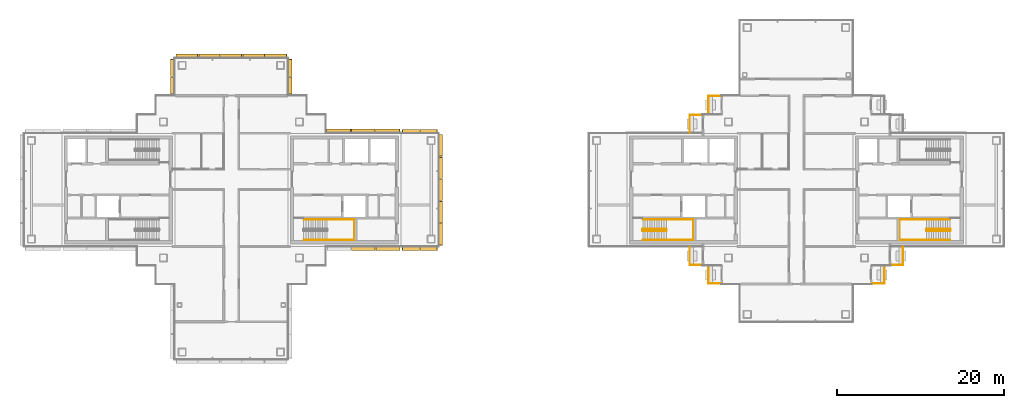
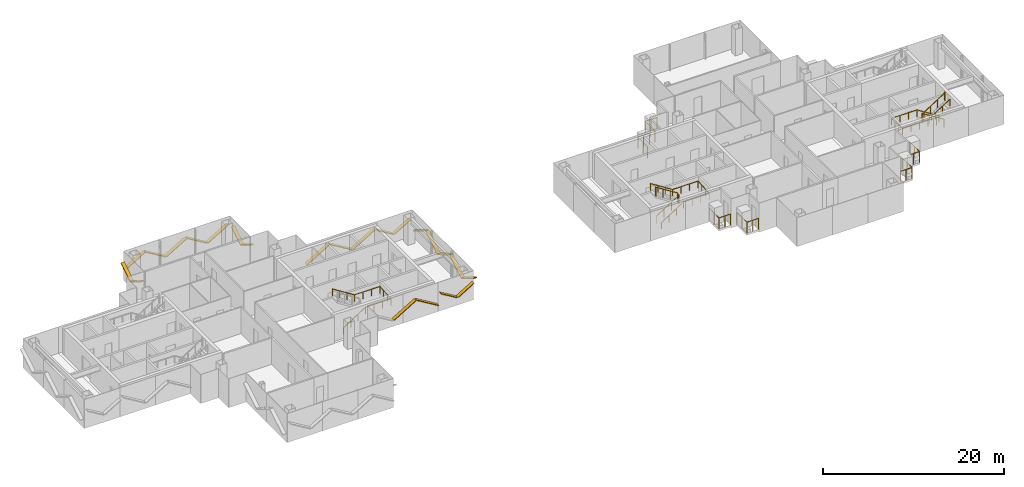
# One storey, part 15 of 17: 23 shading devices, 11 railings.
"""IFC4 building model written with IfcOpenShell, lengths in metres."""

import ifcopenshell
import ifcopenshell.guid

model = None  # the IFC model being written
_history = None  # IfcOwnerHistory: only IFC2X3 demands one
_inside = {}  # id of a spatial element -> (the spatial element, [elements in it])
_under = {}  # id of a project, library or spatial element -> (it, [spatial elements below it])
_declared = {}  # id of a project -> (the project, [libraries it declares])
_typed = {}  # id of a type object -> (the type object, [elements of that type])
_made_of = {}  # id of a material, layer set ... -> (it, [elements and type objects made of it])


def new_model(schema):
    """Start an empty IFC model of exactly this schema.

    Asked for "IFC4X3", IfcOpenShell would pick the latest addendum, in which some entities
    have other attributes; the version numbers below select the first issue.
    IFC2X3 requires an IfcOwnerHistory on every rooted entity: one is made here for all.
    """
    global model, _history
    if schema == "IFC4X3":
        model = ifcopenshell.file(schema_version=(4, 3, 0, 0))
    else:
        model = ifcopenshell.file(schema=schema)
    _inside.clear()
    _under.clear()
    _declared.clear()
    _typed.clear()
    _made_of.clear()
    _history = None
    if model.schema == "IFC2X3":
        org = make("IfcOrganization", Name="unknown")
        user = make(
            "IfcPersonAndOrganization",
            ThePerson=make("IfcPerson", FamilyName="unknown"),
            TheOrganization=org,
        )
        app = make(
            "IfcApplication",
            ApplicationDeveloper=org,
            Version="unknown",
            ApplicationFullName="unknown",
            ApplicationIdentifier="unknown",
        )
        _history = make(
            "IfcOwnerHistory",
            OwningUser=user,
            OwningApplication=app,
            ChangeAction="ADDED",
            CreationDate=0,
        )
    return model


def make(cls, **values):
    """One entity of the class cls with the attributes given. An attribute that is None is left unset."""
    return model.create_entity(
        cls, **{name: value for name, value in values.items() if value is not None}
    )


def rooted(cls, **values):
    """An entity with a GlobalId (a new one), such as an element, a storey or a relation."""
    return make(cls, GlobalId=ifcopenshell.guid.new(), OwnerHistory=_history, **values)


def si_unit(unit_type, name, prefix=None):
    """IfcSIUnit, for example si_unit("LENGTHUNIT", "METRE", prefix="MILLI")."""
    return make("IfcSIUnit", UnitType=unit_type, Prefix=prefix, Name=name)


def assignment(units):
    """IfcUnitAssignment: the units of a project."""
    return None if units is None else make("IfcUnitAssignment", Units=units)


def point(xyz):
    """IfcCartesianPoint."""
    return None if xyz is None else make("IfcCartesianPoint", Coordinates=xyz)


def direction(xyz):
    """IfcDirection."""
    return None if xyz is None else make("IfcDirection", DirectionRatios=xyz)


def frame(location, z_axis=None, x_axis=None):
    """IfcAxis2Placement3D, a coordinate frame: its origin and axes. An axis left out is left unset."""
    return make(
        "IfcAxis2Placement3D",
        Location=point(location),
        Axis=direction(z_axis),
        RefDirection=direction(x_axis),
    )


def frame_2d(location, x_axis=None):
    """IfcAxis2Placement2D, a coordinate frame in the plane: its origin and x axis."""
    return make(
        "IfcAxis2Placement2D", Location=point(location), RefDirection=direction(x_axis)
    )


def origin():
    """The frame at (0, 0, 0) with its axes left unset."""
    return frame((0.0, 0.0, 0.0))


def origin_2d():
    """The frame at (0, 0) in the plane with its x axis left unset."""
    return frame_2d((0.0, 0.0))


def place(relative_to, where):
    """IfcLocalPlacement: puts the frame where relative to a parent placement (None: the world)."""
    return make(
        "IfcLocalPlacement", PlacementRelTo=relative_to, RelativePlacement=where
    )


def context(
    kind, dimensions, precision=None, world=None, true_north=None, identifier=None
):
    """IfcGeometricRepresentationContext, for example the 3D "Model" context."""
    return make(
        "IfcGeometricRepresentationContext",
        ContextIdentifier=identifier,
        ContextType=kind,
        CoordinateSpaceDimension=dimensions,
        Precision=precision,
        WorldCoordinateSystem=world,
        TrueNorth=true_north,
    )


def subcontext(parent, identifier, kind, view, scale=None):
    """IfcGeometricRepresentationSubContext, for example "Body" below "Model"."""
    return make(
        "IfcGeometricRepresentationSubContext",
        ContextIdentifier=identifier,
        ContextType=kind,
        ParentContext=parent,
        TargetScale=scale,
        TargetView=view,
    )


def project(units=None, contexts=None):
    """IfcProject with its units and contexts."""
    return rooted(
        "IfcProject",
        Name="project",
        RepresentationContexts=contexts,
        UnitsInContext=assignment(units),
    )


def spatial(cls, under=None, at=None, **own):
    """A site, building, storey or space (cls), placed at a placement, below another one or the project."""
    s = rooted(cls, ObjectPlacement=at, **own)
    if under is not None:
        _under.setdefault(under.id(), (under, []))[1].append(s)
    return s


def profile(cls, at=None, kind="AREA", **sizes):
    """A parametric profile (cls). Its sizes go by their IFC names, for example OverallWidth=200.0."""
    return make(cls, ProfileType=kind, Position=at, **sizes)


def rectangle(**sizes):
    """IfcRectangleProfileDef."""
    return profile("IfcRectangleProfileDef", **sizes)


def circle(**sizes):
    """IfcCircleProfileDef."""
    return profile("IfcCircleProfileDef", **sizes)


def extrude(swept, where, along, depth):
    """IfcExtrudedAreaSolid: the profile swept, set in the frame where, extruded along a direction by depth."""
    return make(
        "IfcExtrudedAreaSolid",
        SweptArea=swept,
        Position=where,
        ExtrudedDirection=direction(along),
        Depth=depth,
    )


def shape(context_of_items, identifier, shape_type, items):
    """IfcShapeRepresentation: the items that make up one representation, for example the "Body"."""
    return make(
        "IfcShapeRepresentation",
        ContextOfItems=context_of_items,
        RepresentationIdentifier=identifier,
        RepresentationType=shape_type,
        Items=items,
    )


def material(Name=None, Category=None):
    """IfcMaterial."""
    return make("IfcMaterial", Name=Name, Category=Category)


def material_profile(
    of_material, cross_section, Name=None, Category=None, Priority=None
):
    """IfcMaterialProfile: a cross section and its material."""
    return make(
        "IfcMaterialProfile",
        Name=Name,
        Material=of_material,
        Profile=cross_section,
        Priority=Priority,
        Category=Category,
    )


def profile_set(profiles, Name=None, composite=None):
    """IfcMaterialProfileSet."""
    return make(
        "IfcMaterialProfileSet",
        Name=Name,
        MaterialProfiles=profiles,
        CompositeProfile=composite,
    )


def made_of(thing, what):
    """Note that an element or type object is made of a material, layer set ...; save() writes the relation."""
    if what is not None:
        _made_of.setdefault(what.id(), (what, []))[1].append(thing)
    return thing


def type_object(cls, material=None, **own):
    """A type object (cls), such as IfcWallType, which elements share."""
    return made_of(rooted(cls, **own), material)


def element(
    cls,
    number,
    at=None,
    inside=None,
    cuts=None,
    type_object=None,
    material=None,
    context=None,
    identifier="Body",
    shape_type=None,
    held_by="IfcProductDefinitionShape",
    body=None,
    shapes=None,
    **own,
):
    """One element of the class cls, such as IfcWall. Its Tag is "e" and its number.

    at: its placement. inside: the storey or other place that contains it. cuts: it is an
    opening in that element (IfcRelVoidsElement). A single representation is given by context,
    identifier, shape_type and body (its items); several are given by shapes. held_by: the class
    of the entity that holds the representations. save() writes the other relations.
    """
    e = rooted(cls, Tag="e%d" % number, ObjectPlacement=at, **own)
    if body is not None:
        shapes = [shape(context, identifier, shape_type, body)]
    if shapes is not None:
        e.Representation = make(held_by, Representations=shapes)
    if inside is not None:
        _inside.setdefault(inside.id(), (inside, []))[1].append(e)
    if cuts is not None:
        rooted(
            "IfcRelVoidsElement", RelatingBuildingElement=cuts, RelatedOpeningElement=e
        )
    if type_object is not None:
        _typed.setdefault(type_object.id(), (type_object, []))[1].append(e)
    return made_of(e, material)


def aggregate(whole, parts):
    """IfcRelAggregates: a whole, such as a stair, and the parts it consists of."""
    return rooted("IfcRelAggregates", RelatingObject=whole, RelatedObjects=parts)


def save(model, path):
    """Write the relations noted so far, then the file.

    IfcRelAggregates (storeys below a building ...), IfcRelContainedInSpatialStructure (elements
    in a storey), IfcRelDefinesByType, IfcRelAssociatesMaterial and IfcRelDeclares: one each for
    every whole, place, type object, material and project.
    """
    for whole, parts in _under.values():
        aggregate(whole, parts)
    for where, things in _inside.values():
        rooted(
            "IfcRelContainedInSpatialStructure",
            RelatedElements=things,
            RelatingStructure=where,
        )
    for kind, things in _typed.values():
        rooted("IfcRelDefinesByType", RelatedObjects=things, RelatingType=kind)
    for what, things in _made_of.values():
        rooted("IfcRelAssociatesMaterial", RelatedObjects=things, RelatingMaterial=what)
    for by, libraries in _declared.values():
        rooted("IfcRelDeclares", RelatingContext=by, RelatedDefinitions=libraries)
    model.write(path)


model = new_model("IFC4")

# Units and contexts
model_context = context("Model", 3, precision=1e-05, world=origin(), true_north=direction((0.0, 1.0)))
body_context = subcontext(model_context, "Body", "Model", "MODEL_VIEW")
ifc_project = project(units=[si_unit("LENGTHUNIT", "METRE"), si_unit("AREAUNIT", "SQUARE_METRE"), si_unit("VOLUMEUNIT", "CUBIC_METRE"), si_unit("PLANEANGLEUNIT", "RADIAN"), si_unit("MASSUNIT", "GRAM", prefix="KILO")], contexts=[model_context])

# Site, building, storey
site_placement = place(None, origin())
site = spatial("IfcSite", under=ifc_project, at=site_placement, CompositionType="ELEMENT")
building_placement = place(site_placement, origin())
building = spatial("IfcBuilding", under=site, at=building_placement, Name="Shamsa Quay Exchange Towers", CompositionType="ELEMENT")
storey_placement = place(building_placement, frame((0.0, 0.0, 238.199951171875)))
storey = spatial("IfcBuildingStorey", under=building, at=storey_placement, Name="L57", CompositionType="ELEMENT", Elevation=238.199951171875)

# Railings
ifc_material_1 = material(Name="Steel S355, black powder-coated", Category="steel")
railing_type_1 = type_object("IfcRailingType", Name="BALCONY GUARD 1500", PredefinedType="GUARDRAIL", material=ifc_material_1)
for number, where, name in (
    (1, (24.72900390625, 11.199951171875, 0.0), "Balcony guard T2-PKEN L57"),
    (2, (22.47900390625, 8.949951171875, 0.0), "Balcony guard T2-PKEN L57"),
):
    element("IfcRailing", number, at=place(storey_placement, frame(where)), inside=storey, type_object=railing_type_1, Name=name, PredefinedType="GUARDRAIL", context=body_context, shape_type="SweptSolid", body=[
        extrude(circle(Radius=0.02392578125, at=origin_2d()), frame((0.0, 0.0, 1.47607421875), z_axis=(-1.0, 0.0, 0.0), x_axis=(0.0, -1.0, 0.0)), (0.0, 0.0, 1.0), 1.47900390625),
        extrude(circle(Radius=0.02392578125, at=origin_2d()), frame((-1.47900390625, 0.0, 1.47607421875), z_axis=(0.0, -1.0, 0.0), x_axis=(1.0, 0.0, 0.0)), (0.0, 0.0, 1.0), 2.161865234375),
        extrude(circle(Radius=0.02099609375, at=origin_2d()), origin(), (0.0, 0.0, 1.0), 1.451904296875),
        extrude(circle(Radius=0.02099609375, at=origin_2d()), frame((-0.739501953125, 0.0, 0.0)), (0.0, 0.0, 1.0), 1.451904296875),
        extrude(circle(Radius=0.02099609375, at=origin_2d()), frame((-1.47900390625, 0.0, 0.0)), (0.0, 0.0, 1.0), 1.451904296875),
        extrude(circle(Radius=0.02099609375, at=origin_2d()), frame((-1.47900390625, -1.0810546875, 0.0)), (0.0, 0.0, 1.0), 1.451904296875),
        extrude(circle(Radius=0.02099609375, at=origin_2d()), frame((-1.47900390625, -2.161865234375, 0.0)), (0.0, 0.0, 1.0), 1.451904296875),
    ])
for number, where, name in (
    (3, (21.0, -6.7880859375, 0.0), "Balcony guard T2-PKWN L57"),
    (4, (23.25, -9.0380859375, 0.0), "Balcony guard T2-PKWN L57"),
):
    element("IfcRailing", number, at=place(storey_placement, frame(where)), inside=storey, type_object=railing_type_1, Name=name, PredefinedType="GUARDRAIL", context=body_context, shape_type="SweptSolid", body=[
        extrude(circle(Radius=0.02392578125, at=origin_2d()), frame((0.0, 0.0, 1.47607421875), z_axis=(0.0, -1.0, 0.0), x_axis=(1.0, 0.0, 0.0)), (0.0, 0.0, 1.0), 2.161865234375),
        extrude(circle(Radius=0.02392578125, at=origin_2d()), frame((0.0, -2.161865234375, 1.47607421875), z_axis=(1.0, 0.0, 0.0), x_axis=(0.0, 1.0, 0.0)), (0.0, 0.0, 1.0), 1.47900390625),
        extrude(circle(Radius=0.02099609375, at=origin_2d()), origin(), (0.0, 0.0, 1.0), 1.451904296875),
        extrude(circle(Radius=0.02099609375, at=origin_2d()), frame((0.0, -1.0810546875, 0.0)), (0.0, 0.0, 1.0), 1.451904296875),
        extrude(circle(Radius=0.02099609375, at=origin_2d()), frame((0.0, -2.161865234375, 0.0)), (0.0, 0.0, 1.0), 1.451904296875),
        extrude(circle(Radius=0.02099609375, at=origin_2d()), frame((0.739501953125, -2.161865234375, 0.0)), (0.0, 0.0, 1.0), 1.451904296875),
        extrude(circle(Radius=0.02099609375, at=origin_2d()), frame((1.47900390625, -2.161865234375, 0.0)), (0.0, 0.0, 1.0), 1.451904296875),
    ])
for number, where, name in (
    (5, (42.77099609375, -11.199951171875, 0.0), "Balcony guard T2-PKWS L57"),
    (6, (45.02099609375, -8.949951171875, 0.0), "Balcony guard T2-PKWS L57"),
):
    element("IfcRailing", number, at=place(storey_placement, frame(where)), inside=storey, type_object=railing_type_1, Name=name, PredefinedType="GUARDRAIL", context=body_context, shape_type="SweptSolid", body=[
        extrude(circle(Radius=0.02392578125, at=origin_2d()), frame((0.0, 0.0, 1.47607421875), z_axis=(1.0, 0.0, 0.0), x_axis=(0.0, 1.0, 0.0)), (0.0, 0.0, 1.0), 1.47900390625),
        extrude(circle(Radius=0.02392578125, at=origin_2d()), frame((1.47900390625, 0.0, 1.47607421875), z_axis=(0.0, 1.0, 0.0), x_axis=(-1.0, 0.0, 0.0)), (0.0, 0.0, 1.0), 2.161865234375),
        extrude(circle(Radius=0.02099609375, at=origin_2d()), origin(), (0.0, 0.0, 1.0), 1.451904296875),
        extrude(circle(Radius=0.02099609375, at=origin_2d()), frame((0.739501953125, 0.0, 0.0)), (0.0, 0.0, 1.0), 1.451904296875),
        extrude(circle(Radius=0.02099609375, at=origin_2d()), frame((1.47900390625, 0.0, 0.0)), (0.0, 0.0, 1.0), 1.451904296875),
        extrude(circle(Radius=0.02099609375, at=origin_2d()), frame((1.47900390625, 1.0810546875, 0.0)), (0.0, 0.0, 1.0), 1.451904296875),
        extrude(circle(Radius=0.02099609375, at=origin_2d()), frame((1.47900390625, 2.161865234375, 0.0)), (0.0, 0.0, 1.0), 1.451904296875),
    ])

# Shading devices
ifc_material_2 = material(Name="Aluminium EN AW-6063 T6, black anodised", Category="aluminium")
ifc_material_profile = material_profile(ifc_material_2, rectangle(XDim=0.449951171875, YDim=0.10009765625, at=origin_2d()), Name="FIN450x100")
ifc_profile_set = profile_set([ifc_material_profile], Name="Aluminium EN AW-6063 T6, black anodised")
shading_device_type = type_object("IfcShadingDeviceType", Name="FIN 450x100 BLACK ALUMINIUM", PredefinedType="USERDEFINED", material=ifc_profile_set)
shading_device_1_placement = place(storey_placement, frame((-19.374755859375, -7.01904296875, 0.7626953125), z_axis=(0.857168152113, 0.0, 0.515036657922), x_axis=(0.0, 1.0, 0.0)))
element("IfcShadingDevice", 7, at=shading_device_1_placement, inside=storey, type_object=shading_device_type, Name="FIN T1 chevron rib", ObjectType="FIN", PredefinedType="USERDEFINED", context=body_context, shape_type="SweptSolid", body=[
    extrude(rectangle(XDim=0.449951171875, YDim=0.10009765625, at=origin_2d()), origin(), (0.0, 0.0, 1.0), 3.251708984375),
])
shading_device_2_placement = place(storey_placement, frame((-16.4873046875, -7.01904296875, 2.452392578125), z_axis=(0.857173881605, 0.0, -0.51502712229), x_axis=(0.0, 1.0, 0.0)))
element("IfcShadingDevice", 8, at=shading_device_2_placement, inside=storey, type_object=shading_device_type, Name="FIN T1 chevron rib", ObjectType="FIN", PredefinedType="USERDEFINED", context=body_context, shape_type="SweptSolid", body=[
    extrude(rectangle(XDim=0.449951171875, YDim=0.10009765625, at=origin_2d()), origin(), (0.0, 0.0, 1.0), 3.310302734375),
])
for number, where, z_axis, x_axis, name in (
    (9, (-13.35009765625, -7.014892578125, 2.2158203125), (0.857186526385, 0.0, -0.515006076648), (0.0, 1.0, 0.0), "FIN T1 chevron rib"),
    (10, (-11.199951171875, -7.014892578125, 0.984130859375), (0.857186526385, 0.0, 0.515006076648), (0.0, 1.0, 0.0), "FIN T1 chevron rib"),
):
    element("IfcShadingDevice", number, at=place(storey_placement, frame(where, z_axis=z_axis, x_axis=x_axis)), inside=storey, type_object=shading_device_type, Name=name, ObjectType="FIN", PredefinedType="USERDEFINED", context=body_context, shape_type="SweptSolid", body=[
        extrude(rectangle(XDim=0.449951171875, YDim=0.10009765625, at=origin_2d()), origin(), (0.0, 0.0, 1.0), 2.3916015625),
    ])
shading_device_3_placement = place(storey_placement, frame((-8.735107421875, -6.60009765625, 2.378173828125), z_axis=(0.0, 0.857186216295, -0.515006592767), x_axis=(-1.0, 0.0, 0.0)))
element("IfcShadingDevice", 11, at=shading_device_3_placement, inside=storey, type_object=shading_device_type, Name="FIN T1 chevron rib", ObjectType="FIN", PredefinedType="USERDEFINED", context=body_context, shape_type="SweptSolid", body=[
    extrude(rectangle(XDim=0.449951171875, YDim=0.10009765625, at=origin_2d()), origin(), (0.0, 0.0, 1.0), 3.021728515625),
])
for number, where, z_axis, x_axis, name in (
    (12, (-8.735107421875, -3.909912109375, 0.8369140625), (0.0, 0.857158316574, 0.515053026714), (-1.0, 0.0, 0.0), "FIN T1 chevron rib"),
    (13, (-8.735107421875, -1.27001953125, 2.363037109375), (0.0, 0.857180172053, -0.515016652778), (-1.0, 0.0, 0.0), "FIN T1 chevron rib"),
    (14, (-8.735107421875, 1.3701171875, 0.8369140625), (0.0, 0.857158316574, 0.515053026714), (-1.0, 0.0, 0.0), "FIN T1 chevron rib"),
):
    element("IfcShadingDevice", number, at=place(storey_placement, frame(where, z_axis=z_axis, x_axis=x_axis)), inside=storey, type_object=shading_device_type, Name=name, ObjectType="FIN", PredefinedType="USERDEFINED", context=body_context, shape_type="SweptSolid", body=[
        extrude(rectangle(XDim=0.449951171875, YDim=0.10009765625, at=origin_2d()), origin(), (0.0, 0.0, 1.0), 2.963134765625),
    ])
shading_device_4_placement = place(storey_placement, frame((-8.735107421875, 4.010009765625, 2.378173828125), z_axis=(0.0, 0.857186216295, -0.515006592767), x_axis=(-1.0, 0.0, 0.0)))
element("IfcShadingDevice", 15, at=shading_device_4_placement, inside=storey, type_object=shading_device_type, Name="FIN T1 chevron rib", ObjectType="FIN", PredefinedType="USERDEFINED", context=body_context, shape_type="SweptSolid", body=[
    extrude(rectangle(XDim=0.449951171875, YDim=0.10009765625, at=origin_2d()), origin(), (0.0, 0.0, 1.0), 3.021728515625),
])
for number, where, z_axis, x_axis, name in (
    (16, (-9.14990234375, 7.014892578125, 2.2158203125), (-0.857186526385, 0.0, -0.515006076648), (0.0, -1.0, 0.0), "FIN T1 chevron rib"),
    (17, (-11.300048828125, 7.014892578125, 0.984130859375), (-0.857186526385, 0.0, 0.515006076648), (0.0, -1.0, 0.0), "FIN T1 chevron rib"),
):
    element("IfcShadingDevice", number, at=place(storey_placement, frame(where, z_axis=z_axis, x_axis=x_axis)), inside=storey, type_object=shading_device_type, Name=name, ObjectType="FIN", PredefinedType="USERDEFINED", context=body_context, shape_type="SweptSolid", body=[
        extrude(rectangle(XDim=0.449951171875, YDim=0.10009765625, at=origin_2d()), origin(), (0.0, 0.0, 1.0), 2.3916015625),
    ])
shading_device_5_placement = place(storey_placement, frame((-13.64990234375, 7.01904296875, 2.456298828125), z_axis=(-0.857181785947, 0.0, -0.515013966646), x_axis=(0.0, -1.0, 0.0)))
element("IfcShadingDevice", 18, at=shading_device_5_placement, inside=storey, type_object=shading_device_type, Name="FIN T1 chevron rib", ObjectType="FIN", PredefinedType="USERDEFINED", context=body_context, shape_type="SweptSolid", body=[
    extrude(rectangle(XDim=0.449951171875, YDim=0.10009765625, at=origin_2d()), origin(), (0.0, 0.0, 1.0), 3.324951171875),
])
shading_device_6_placement = place(storey_placement, frame((-16.60009765625, 7.01904296875, 0.7587890625), z_axis=(-0.857156397537, 0.0, 0.515056220389), x_axis=(0.0, -1.0, 0.0)))
element("IfcShadingDevice", 19, at=shading_device_6_placement, inside=storey, type_object=shading_device_type, Name="FIN T1 chevron rib", ObjectType="FIN", PredefinedType="USERDEFINED", context=body_context, shape_type="SweptSolid", body=[
    extrude(rectangle(XDim=0.449951171875, YDim=0.10009765625, at=origin_2d()), origin(), (0.0, 0.0, 1.0), 3.266357421875),
])
shading_device_7_placement = place(storey_placement, frame((-19.5, 7.01904296875, 2.456298828125), z_axis=(-0.857181785947, 0.0, -0.515013966646), x_axis=(0.0, -1.0, 0.0)))
element("IfcShadingDevice", 20, at=shading_device_7_placement, inside=storey, type_object=shading_device_type, Name="FIN T1 chevron rib", ObjectType="FIN", PredefinedType="USERDEFINED", context=body_context, shape_type="SweptSolid", body=[
    extrude(rectangle(XDim=0.449951171875, YDim=0.10009765625, at=origin_2d()), origin(), (0.0, 0.0, 1.0), 3.324951171875),
])
for number, where, z_axis, x_axis, name in (
    (21, (-26.735107421875, 11.43798828125, 2.210205078125), (0.0, 0.857192750628, -0.51499571675), (-1.0, 0.0, 0.0), "FIN T1 chevron rib"),
    (22, (-26.735107421875, 13.569091796875, 0.989990234375), (0.0, 0.857192750628, 0.51499571675), (-1.0, 0.0, 0.0), "FIN T1 chevron rib"),
):
    element("IfcShadingDevice", number, at=place(storey_placement, frame(where, z_axis=z_axis, x_axis=x_axis)), inside=storey, type_object=shading_device_type, Name=name, ObjectType="FIN", PredefinedType="USERDEFINED", context=body_context, shape_type="SweptSolid", body=[
        extrude(rectangle(XDim=0.449951171875, YDim=0.10009765625, at=origin_2d()), origin(), (0.0, 0.0, 1.0), 2.369384765625),
    ])
shading_device_8_placement = place(storey_placement, frame((-27.14990234375, 16.014892578125, 2.378173828125), z_axis=(-0.857186216295, 0.0, -0.515006592767), x_axis=(0.0, -1.0, 0.0)))
element("IfcShadingDevice", 23, at=shading_device_8_placement, inside=storey, type_object=shading_device_type, Name="FIN T1 chevron rib", ObjectType="FIN", PredefinedType="USERDEFINED", context=body_context, shape_type="SweptSolid", body=[
    extrude(rectangle(XDim=0.449951171875, YDim=0.10009765625, at=origin_2d()), origin(), (0.0, 0.0, 1.0), 3.021728515625),
])
for number, where, z_axis, x_axis, name in (
    (24, (-29.840087890625, 16.014892578125, 0.8369140625), (-0.857158316574, 0.0, 0.515053026714), (0.0, -1.0, 0.0), "FIN T1 chevron rib"),
    (25, (-32.47998046875, 16.014892578125, 2.363037109375), (-0.857180172053, 0.0, -0.515016652778), (0.0, -1.0, 0.0), "FIN T1 chevron rib"),
    (26, (-35.1201171875, 16.014892578125, 0.8369140625), (-0.857158316574, 0.0, 0.515053026714), (0.0, -1.0, 0.0), "FIN T1 chevron rib"),
):
    element("IfcShadingDevice", number, at=place(storey_placement, frame(where, z_axis=z_axis, x_axis=x_axis)), inside=storey, type_object=shading_device_type, Name=name, ObjectType="FIN", PredefinedType="USERDEFINED", context=body_context, shape_type="SweptSolid", body=[
        extrude(rectangle(XDim=0.449951171875, YDim=0.10009765625, at=origin_2d()), origin(), (0.0, 0.0, 1.0), 2.963134765625),
    ])
shading_device_9_placement = place(storey_placement, frame((-37.760009765625, 16.014892578125, 2.378173828125), z_axis=(-0.857186216295, 0.0, -0.515006592767), x_axis=(0.0, -1.0, 0.0)))
element("IfcShadingDevice", 27, at=shading_device_9_placement, inside=storey, type_object=shading_device_type, Name="FIN T1 chevron rib", ObjectType="FIN", PredefinedType="USERDEFINED", context=body_context, shape_type="SweptSolid", body=[
    extrude(rectangle(XDim=0.449951171875, YDim=0.10009765625, at=origin_2d()), origin(), (0.0, 0.0, 1.0), 3.021728515625),
])
for number, where, z_axis, x_axis, name in (
    (28, (-40.764892578125, 15.60009765625, 2.2158203125), (0.0, -0.857186526385, -0.515006076648), (1.0, 0.0, 0.0), "FIN T1 chevron rib"),
    (29, (-40.764892578125, 13.449951171875, 0.984130859375), (0.0, -0.857186526385, 0.515006076648), (1.0, 0.0, 0.0), "FIN T1 chevron rib"),
):
    element("IfcShadingDevice", number, at=place(storey_placement, frame(where, z_axis=z_axis, x_axis=x_axis)), inside=storey, type_object=shading_device_type, Name=name, ObjectType="FIN", PredefinedType="USERDEFINED", context=body_context, shape_type="SweptSolid", body=[
        extrude(rectangle(XDim=0.449951171875, YDim=0.10009765625, at=origin_2d()), origin(), (0.0, 0.0, 1.0), 2.3916015625),
    ])

# Railings
ifc_material_3 = material(Name="Stainless steel", Category="steel")
railing_type_2 = type_object("IfcRailingType", Name="STAIR GUARD 1100", PredefinedType="GUARDRAIL", material=ifc_material_3)
railing_1_placement = place(storey_placement, frame((15.39990234375, -4.89990234375, 0.17724609375)))
element("IfcRailing", 30, at=railing_1_placement, inside=storey, type_object=railing_type_2, Name="L57 ST4 stair guard 1", PredefinedType="GUARDRAIL", context=body_context, shape_type="SweptSolid", body=[
    extrude(circle(Radius=0.02392578125, at=origin_2d()), frame((0.0, 0.0, 1.076171875), z_axis=(0.844908973607, 0.0, 0.534910110503), x_axis=(0.0, 1.0, 0.0)), (0.0, 0.0, 1.0), 3.31396484375),
    extrude(circle(Radius=0.02392578125, at=origin_2d()), frame((2.800048828125, 0.0, 2.8486328125), z_axis=(0.708833529934, 0.705375805398, 0.0), x_axis=(-0.705375805398, 0.708833529934, 0.0)), (0.0, 0.0, 1.0), 0.070556640625),
    extrude(circle(Radius=0.02392578125, at=origin_2d()), frame((2.85009765625, 0.0498046875, 2.8486328125), z_axis=(0.0, 1.0, 0.0), x_axis=(-1.0, 0.0, 0.0)), (0.0, 0.0, 1.0), 0.150146484375),
    extrude(circle(Radius=0.02392578125, at=origin_2d()), frame((2.85009765625, 0.199951171875, 2.8486328125), z_axis=(-0.261922500866, 0.261922500866, 0.928866625022), x_axis=(-0.707106781187, -0.707106781187, 0.0)), (0.0, 0.0, 1.0), 0.191162109375),
    extrude(circle(Radius=0.02392578125, at=origin_2d()), frame((2.800048828125, 0.25, 3.0263671875), z_axis=(-0.844908973607, 0.0, 0.534910110503), x_axis=(0.0, -1.0, 0.0)), (0.0, 0.0, 1.0), 3.31396484375),
    extrude(circle(Radius=0.02392578125, at=origin_2d()), frame((0.0, 0.25, 4.798828125), z_axis=(-0.24142163986, -0.970420317083, 0.0), x_axis=(0.970420317083, -0.24142163986, 0.0)), (0.0, 0.0, 1.0), 0.206298828125),
    extrude(circle(Radius=0.02392578125, at=origin_2d()), frame((-0.0498046875, 0.0498046875, 4.798828125), z_axis=(0.0, 1.0, 0.0), x_axis=(-1.0, 0.0, 0.0)), (0.0, 0.0, 1.0), 0.150146484375),
    extrude(circle(Radius=0.02099609375, at=origin_2d()), origin(), (0.0, 0.0, 1.0), 1.052001953125),
    extrude(circle(Radius=0.02099609375, at=origin_2d()), frame((0.933349609375, 0.0, 0.5908203125)), (0.0, 0.0, 1.0), 1.052001953125),
    extrude(circle(Radius=0.02099609375, at=origin_2d()), frame((1.86669921875, 0.0, 1.181884765625)), (0.0, 0.0, 1.0), 1.052001953125),
    extrude(circle(Radius=0.02099609375, at=origin_2d()), frame((2.800048828125, 0.0, 1.772705078125)), (0.0, 0.0, 1.0), 1.052001953125),
    extrude(circle(Radius=0.02099609375, at=origin_2d()), frame((2.85009765625, 0.0498046875, 1.772705078125)), (0.0, 0.0, 1.0), 1.052001953125),
    extrude(circle(Radius=0.02099609375, at=origin_2d()), frame((2.85009765625, 0.199951171875, 1.772705078125)), (0.0, 0.0, 1.0), 1.052001953125),
    extrude(circle(Radius=0.02099609375, at=origin_2d()), frame((2.800048828125, 0.25, 1.9501953125)), (0.0, 0.0, 1.0), 1.052001953125),
    extrude(circle(Radius=0.02099609375, at=origin_2d()), frame((1.86669921875, 0.25, 2.541015625)), (0.0, 0.0, 1.0), 1.052001953125),
    extrude(circle(Radius=0.02099609375, at=origin_2d()), frame((0.933349609375, 0.25, 3.132080078125)), (0.0, 0.0, 1.0), 1.052001953125),
    extrude(circle(Radius=0.02099609375, at=origin_2d()), frame((0.0, 0.25, 3.722900390625)), (0.0, 0.0, 1.0), 1.052001953125),
    extrude(circle(Radius=0.02099609375, at=origin_2d()), frame((-0.0498046875, 0.0498046875, 3.722900390625)), (0.0, 0.0, 1.0), 1.052001953125),
    extrude(circle(Radius=0.02099609375, at=origin_2d()), frame((-0.0498046875, 0.199951171875, 3.722900390625)), (0.0, 0.0, 1.0), 1.052001953125),
])
railing_2_placement = place(storey_placement, frame((52.10009765625, -4.64990234375, 0.17724609375)))
element("IfcRailing", 31, at=railing_2_placement, inside=storey, type_object=railing_type_2, Name="L57 ST5 stair guard 1", PredefinedType="GUARDRAIL", context=body_context, shape_type="SweptSolid", body=[
    extrude(circle(Radius=0.02392578125, at=origin_2d()), frame((0.0, 0.0, 1.076171875), z_axis=(-0.844908973607, 0.0, 0.534910110503), x_axis=(0.0, -1.0, 0.0)), (0.0, 0.0, 1.0), 3.31396484375),
    extrude(circle(Radius=0.02392578125, at=origin_2d()), frame((-2.800048828125, 0.0, 2.8486328125), z_axis=(-0.707106781187, -0.707106781187, 0.0), x_axis=(0.707106781187, -0.707106781187, 0.0)), (0.0, 0.0, 1.0), 0.07080078125),
    extrude(circle(Radius=0.02392578125, at=origin_2d()), frame((-2.85009765625, -0.050048828125, 2.8486328125), z_axis=(0.0, -1.0, 0.0), x_axis=(1.0, 0.0, 0.0)), (0.0, 0.0, 1.0), 0.150146484375),
    extrude(circle(Radius=0.02392578125, at=origin_2d()), frame((-2.85009765625, -0.2001953125, 2.8486328125), z_axis=(0.262009983441, -0.260731885961, 0.929176868105), x_axis=(0.705375805398, 0.708833529934, 0.0)), (0.0, 0.0, 1.0), 0.19091796875),
    extrude(circle(Radius=0.02392578125, at=origin_2d()), frame((-2.800048828125, -0.25, 3.0263671875), z_axis=(0.844908973607, 0.0, 0.534910110503), x_axis=(0.0, 1.0, 0.0)), (0.0, 0.0, 1.0), 3.31396484375),
    extrude(circle(Radius=0.02392578125, at=origin_2d()), frame((0.0, -0.25, 4.798828125), z_axis=(0.241699205484, 0.970351222016, 0.0), x_axis=(-0.970351222016, 0.241699205484, 0.0)), (0.0, 0.0, 1.0), 0.2060546875),
    extrude(circle(Radius=0.02392578125, at=origin_2d()), frame((0.0498046875, -0.050048828125, 4.798828125), z_axis=(0.0, -1.0, 0.0), x_axis=(1.0, 0.0, 0.0)), (0.0, 0.0, 1.0), 0.150146484375),
    extrude(circle(Radius=0.02099609375, at=origin_2d()), origin(), (0.0, 0.0, 1.0), 1.052001953125),
    extrude(circle(Radius=0.02099609375, at=origin_2d()), frame((-0.933349609375, 0.0, 0.5908203125)), (0.0, 0.0, 1.0), 1.052001953125),
    extrude(circle(Radius=0.02099609375, at=origin_2d()), frame((-1.86669921875, 0.0, 1.181884765625)), (0.0, 0.0, 1.0), 1.052001953125),
    extrude(circle(Radius=0.02099609375, at=origin_2d()), frame((-2.800048828125, 0.0, 1.772705078125)), (0.0, 0.0, 1.0), 1.052001953125),
    extrude(circle(Radius=0.02099609375, at=origin_2d()), frame((-2.85009765625, -0.050048828125, 1.772705078125)), (0.0, 0.0, 1.0), 1.052001953125),
    extrude(circle(Radius=0.02099609375, at=origin_2d()), frame((-2.85009765625, -0.2001953125, 1.772705078125)), (0.0, 0.0, 1.0), 1.052001953125),
    extrude(circle(Radius=0.02099609375, at=origin_2d()), frame((-2.800048828125, -0.25, 1.9501953125)), (0.0, 0.0, 1.0), 1.052001953125),
    extrude(circle(Radius=0.02099609375, at=origin_2d()), frame((-1.86669921875, -0.25, 2.541015625)), (0.0, 0.0, 1.0), 1.052001953125),
    extrude(circle(Radius=0.02099609375, at=origin_2d()), frame((-0.933349609375, -0.25, 3.132080078125)), (0.0, 0.0, 1.0), 1.052001953125),
    extrude(circle(Radius=0.02099609375, at=origin_2d()), frame((0.0, -0.25, 3.722900390625)), (0.0, 0.0, 1.0), 1.052001953125),
    extrude(circle(Radius=0.02099609375, at=origin_2d()), frame((0.0498046875, -0.050048828125, 3.722900390625)), (0.0, 0.0, 1.0), 1.052001953125),
    extrude(circle(Radius=0.02099609375, at=origin_2d()), frame((0.0498046875, -0.2001953125, 3.722900390625)), (0.0, 0.0, 1.0), 1.052001953125),
])
railing_type_3 = type_object("IfcRailingType", Name="STAIR HANDRAIL 900", PredefinedType="HANDRAIL", material=ifc_material_3)
railing_3_placement = place(storey_placement, frame((-25.10009765625, -6.0, 0.17724609375)))
element("IfcRailing", 32, at=railing_3_placement, inside=storey, type_object=railing_type_3, Name="L57 ST1 stair handrail 1", PredefinedType="HANDRAIL", context=body_context, shape_type="SweptSolid", body=[
    extrude(circle(Radius=0.02392578125, at=origin_2d()), frame((0.0, 0.0, 0.8759765625), z_axis=(0.844908973607, 0.0, 0.534910110503), x_axis=(0.0, 1.0, 0.0)), (0.0, 0.0, 1.0), 3.31396484375),
    extrude(circle(Radius=0.02392578125, at=origin_2d()), frame((2.800048828125, 0.0, 2.6484375), z_axis=(1.0, 0.0, 0.0), x_axis=(0.0, 1.0, 0.0)), (0.0, 0.0, 1.0), 3.25),
    extrude(circle(Radius=0.02392578125, at=origin_2d()), frame((6.050048828125, 0.0, 2.6484375), z_axis=(0.0, 0.997386041853, 0.072257065513), x_axis=(-1.0, 0.0, 0.0)), (0.0, 0.0, 1.0), 2.456298828125),
    extrude(circle(Radius=0.02392578125, at=origin_2d()), frame((6.050048828125, 2.449951171875, 2.826171875), z_axis=(-1.0, 0.0, 0.0), x_axis=(0.0, -1.0, 0.0)), (0.0, 0.0, 1.0), 3.25),
    extrude(circle(Radius=0.02392578125, at=origin_2d()), frame((2.800048828125, 2.449951171875, 2.826171875), z_axis=(-0.844908973607, 0.0, 0.534910110503), x_axis=(0.0, -1.0, 0.0)), (0.0, 0.0, 1.0), 3.31396484375),
    extrude(circle(Radius=0.02099609375, at=origin_2d()), origin(), (0.0, 0.0, 1.0), 0.851806640625),
    extrude(circle(Radius=0.02099609375, at=origin_2d()), frame((0.933349609375, 0.0, 0.5908203125)), (0.0, 0.0, 1.0), 0.851806640625),
    extrude(circle(Radius=0.02099609375, at=origin_2d()), frame((1.86669921875, 0.0, 1.181884765625)), (0.0, 0.0, 1.0), 0.851806640625),
    extrude(circle(Radius=0.02099609375, at=origin_2d()), frame((2.800048828125, 0.0, 1.772705078125)), (0.0, 0.0, 1.0), 0.851806640625),
    extrude(circle(Radius=0.02099609375, at=origin_2d()), frame((3.88330078125, 0.0, 1.772705078125)), (0.0, 0.0, 1.0), 0.851806640625),
    extrude(circle(Radius=0.02099609375, at=origin_2d()), frame((4.966796875, 0.0, 1.772705078125)), (0.0, 0.0, 1.0), 0.851806640625),
    extrude(circle(Radius=0.02099609375, at=origin_2d()), frame((6.050048828125, 0.0, 1.772705078125)), (0.0, 0.0, 1.0), 0.851806640625),
    extrude(circle(Radius=0.02099609375, at=origin_2d()), frame((6.050048828125, 0.816650390625, 1.831787109375)), (0.0, 0.0, 1.0), 0.851806640625),
    extrude(circle(Radius=0.02099609375, at=origin_2d()), frame((6.050048828125, 1.63330078125, 1.89111328125)), (0.0, 0.0, 1.0), 0.851806640625),
    extrude(circle(Radius=0.02099609375, at=origin_2d()), frame((6.050048828125, 2.449951171875, 1.9501953125)), (0.0, 0.0, 1.0), 0.851806640625),
    extrude(circle(Radius=0.02099609375, at=origin_2d()), frame((4.966796875, 2.449951171875, 1.9501953125)), (0.0, 0.0, 1.0), 0.851806640625),
    extrude(circle(Radius=0.02099609375, at=origin_2d()), frame((3.88330078125, 2.449951171875, 1.9501953125)), (0.0, 0.0, 1.0), 0.851806640625),
    extrude(circle(Radius=0.02099609375, at=origin_2d()), frame((2.800048828125, 2.449951171875, 1.9501953125)), (0.0, 0.0, 1.0), 0.851806640625),
    extrude(circle(Radius=0.02099609375, at=origin_2d()), frame((1.86669921875, 2.449951171875, 2.541015625)), (0.0, 0.0, 1.0), 0.851806640625),
    extrude(circle(Radius=0.02099609375, at=origin_2d()), frame((0.933349609375, 2.449951171875, 3.132080078125)), (0.0, 0.0, 1.0), 0.851806640625),
    extrude(circle(Radius=0.02099609375, at=origin_2d()), frame((0.0, 2.449951171875, 3.722900390625)), (0.0, 0.0, 1.0), 0.851806640625),
])
railing_4_placement = place(storey_placement, frame((15.39990234375, -6.0, 0.17724609375)))
element("IfcRailing", 33, at=railing_4_placement, inside=storey, type_object=railing_type_3, Name="L57 ST4 stair handrail 1", PredefinedType="HANDRAIL", context=body_context, shape_type="SweptSolid", body=[
    extrude(circle(Radius=0.02392578125, at=origin_2d()), frame((0.0, 0.0, 0.8759765625), z_axis=(0.844908973607, 0.0, 0.534910110503), x_axis=(0.0, 1.0, 0.0)), (0.0, 0.0, 1.0), 3.31396484375),
    extrude(circle(Radius=0.02392578125, at=origin_2d()), frame((2.800048828125, 0.0, 2.6484375), z_axis=(1.0, 0.0, 0.0), x_axis=(0.0, 1.0, 0.0)), (0.0, 0.0, 1.0), 3.25),
    extrude(circle(Radius=0.02392578125, at=origin_2d()), frame((6.050048828125, 0.0, 2.6484375), z_axis=(0.0, 0.997386041853, 0.072257065513), x_axis=(-1.0, 0.0, 0.0)), (0.0, 0.0, 1.0), 2.456298828125),
    extrude(circle(Radius=0.02392578125, at=origin_2d()), frame((6.050048828125, 2.449951171875, 2.826171875), z_axis=(-1.0, 0.0, 0.0), x_axis=(0.0, -1.0, 0.0)), (0.0, 0.0, 1.0), 3.25),
    extrude(circle(Radius=0.02392578125, at=origin_2d()), frame((2.800048828125, 2.449951171875, 2.826171875), z_axis=(-0.844908973607, 0.0, 0.534910110503), x_axis=(0.0, -1.0, 0.0)), (0.0, 0.0, 1.0), 3.31396484375),
    extrude(circle(Radius=0.02099609375, at=origin_2d()), origin(), (0.0, 0.0, 1.0), 0.851806640625),
    extrude(circle(Radius=0.02099609375, at=origin_2d()), frame((0.933349609375, 0.0, 0.5908203125)), (0.0, 0.0, 1.0), 0.851806640625),
    extrude(circle(Radius=0.02099609375, at=origin_2d()), frame((1.86669921875, 0.0, 1.181884765625)), (0.0, 0.0, 1.0), 0.851806640625),
    extrude(circle(Radius=0.02099609375, at=origin_2d()), frame((2.800048828125, 0.0, 1.772705078125)), (0.0, 0.0, 1.0), 0.851806640625),
    extrude(circle(Radius=0.02099609375, at=origin_2d()), frame((3.88330078125, 0.0, 1.772705078125)), (0.0, 0.0, 1.0), 0.851806640625),
    extrude(circle(Radius=0.02099609375, at=origin_2d()), frame((4.966796875, 0.0, 1.772705078125)), (0.0, 0.0, 1.0), 0.851806640625),
    extrude(circle(Radius=0.02099609375, at=origin_2d()), frame((6.050048828125, 0.0, 1.772705078125)), (0.0, 0.0, 1.0), 0.851806640625),
    extrude(circle(Radius=0.02099609375, at=origin_2d()), frame((6.050048828125, 0.816650390625, 1.831787109375)), (0.0, 0.0, 1.0), 0.851806640625),
    extrude(circle(Radius=0.02099609375, at=origin_2d()), frame((6.050048828125, 1.63330078125, 1.89111328125)), (0.0, 0.0, 1.0), 0.851806640625),
    extrude(circle(Radius=0.02099609375, at=origin_2d()), frame((6.050048828125, 2.449951171875, 1.9501953125)), (0.0, 0.0, 1.0), 0.851806640625),
    extrude(circle(Radius=0.02099609375, at=origin_2d()), frame((4.966796875, 2.449951171875, 1.9501953125)), (0.0, 0.0, 1.0), 0.851806640625),
    extrude(circle(Radius=0.02099609375, at=origin_2d()), frame((3.88330078125, 2.449951171875, 1.9501953125)), (0.0, 0.0, 1.0), 0.851806640625),
    extrude(circle(Radius=0.02099609375, at=origin_2d()), frame((2.800048828125, 2.449951171875, 1.9501953125)), (0.0, 0.0, 1.0), 0.851806640625),
    extrude(circle(Radius=0.02099609375, at=origin_2d()), frame((1.86669921875, 2.449951171875, 2.541015625)), (0.0, 0.0, 1.0), 0.851806640625),
    extrude(circle(Radius=0.02099609375, at=origin_2d()), frame((0.933349609375, 2.449951171875, 3.132080078125)), (0.0, 0.0, 1.0), 0.851806640625),
    extrude(circle(Radius=0.02099609375, at=origin_2d()), frame((0.0, 2.449951171875, 3.722900390625)), (0.0, 0.0, 1.0), 0.851806640625),
])
railing_5_placement = place(storey_placement, frame((52.10009765625, -3.550048828125, 0.17724609375)))
element("IfcRailing", 34, at=railing_5_placement, inside=storey, type_object=railing_type_3, Name="L57 ST5 stair handrail 1", PredefinedType="HANDRAIL", context=body_context, shape_type="SweptSolid", body=[
    extrude(circle(Radius=0.02392578125, at=origin_2d()), frame((0.0, 0.0, 0.8759765625), z_axis=(-0.844908973607, 0.0, 0.534910110503), x_axis=(0.0, -1.0, 0.0)), (0.0, 0.0, 1.0), 3.31396484375),
    extrude(circle(Radius=0.02392578125, at=origin_2d()), frame((-2.800048828125, 0.0, 2.6484375), z_axis=(-1.0, 0.0, 0.0), x_axis=(0.0, -1.0, 0.0)), (0.0, 0.0, 1.0), 3.25),
    extrude(circle(Radius=0.02392578125, at=origin_2d()), frame((-6.050048828125, 0.0, 2.6484375), z_axis=(0.0, -0.997386041853, 0.072257065513), x_axis=(1.0, 0.0, 0.0)), (0.0, 0.0, 1.0), 2.456298828125),
    extrude(circle(Radius=0.02392578125, at=origin_2d()), frame((-6.050048828125, -2.449951171875, 2.826171875), z_axis=(1.0, 0.0, 0.0), x_axis=(0.0, 1.0, 0.0)), (0.0, 0.0, 1.0), 3.25),
    extrude(circle(Radius=0.02392578125, at=origin_2d()), frame((-2.800048828125, -2.449951171875, 2.826171875), z_axis=(0.844908973607, 0.0, 0.534910110503), x_axis=(0.0, 1.0, 0.0)), (0.0, 0.0, 1.0), 3.31396484375),
    extrude(circle(Radius=0.02099609375, at=origin_2d()), origin(), (0.0, 0.0, 1.0), 0.851806640625),
    extrude(circle(Radius=0.02099609375, at=origin_2d()), frame((-0.933349609375, 0.0, 0.5908203125)), (0.0, 0.0, 1.0), 0.851806640625),
    extrude(circle(Radius=0.02099609375, at=origin_2d()), frame((-1.86669921875, 0.0, 1.181884765625)), (0.0, 0.0, 1.0), 0.851806640625),
    extrude(circle(Radius=0.02099609375, at=origin_2d()), frame((-2.800048828125, 0.0, 1.772705078125)), (0.0, 0.0, 1.0), 0.851806640625),
    extrude(circle(Radius=0.02099609375, at=origin_2d()), frame((-3.88330078125, 0.0, 1.772705078125)), (0.0, 0.0, 1.0), 0.851806640625),
    extrude(circle(Radius=0.02099609375, at=origin_2d()), frame((-4.966796875, 0.0, 1.772705078125)), (0.0, 0.0, 1.0), 0.851806640625),
    extrude(circle(Radius=0.02099609375, at=origin_2d()), frame((-6.050048828125, 0.0, 1.772705078125)), (0.0, 0.0, 1.0), 0.851806640625),
    extrude(circle(Radius=0.02099609375, at=origin_2d()), frame((-6.050048828125, -0.816650390625, 1.831787109375)), (0.0, 0.0, 1.0), 0.851806640625),
    extrude(circle(Radius=0.02099609375, at=origin_2d()), frame((-6.050048828125, -1.63330078125, 1.89111328125)), (0.0, 0.0, 1.0), 0.851806640625),
    extrude(circle(Radius=0.02099609375, at=origin_2d()), frame((-6.050048828125, -2.449951171875, 1.9501953125)), (0.0, 0.0, 1.0), 0.851806640625),
    extrude(circle(Radius=0.02099609375, at=origin_2d()), frame((-4.966796875, -2.449951171875, 1.9501953125)), (0.0, 0.0, 1.0), 0.851806640625),
    extrude(circle(Radius=0.02099609375, at=origin_2d()), frame((-3.88330078125, -2.449951171875, 1.9501953125)), (0.0, 0.0, 1.0), 0.851806640625),
    extrude(circle(Radius=0.02099609375, at=origin_2d()), frame((-2.800048828125, -2.449951171875, 1.9501953125)), (0.0, 0.0, 1.0), 0.851806640625),
    extrude(circle(Radius=0.02099609375, at=origin_2d()), frame((-1.86669921875, -2.449951171875, 2.541015625)), (0.0, 0.0, 1.0), 0.851806640625),
    extrude(circle(Radius=0.02099609375, at=origin_2d()), frame((-0.933349609375, -2.449951171875, 3.132080078125)), (0.0, 0.0, 1.0), 0.851806640625),
    extrude(circle(Radius=0.02099609375, at=origin_2d()), frame((0.0, -2.449951171875, 3.722900390625)), (0.0, 0.0, 1.0), 0.851806640625),
])

save(model, "model.ifc")
